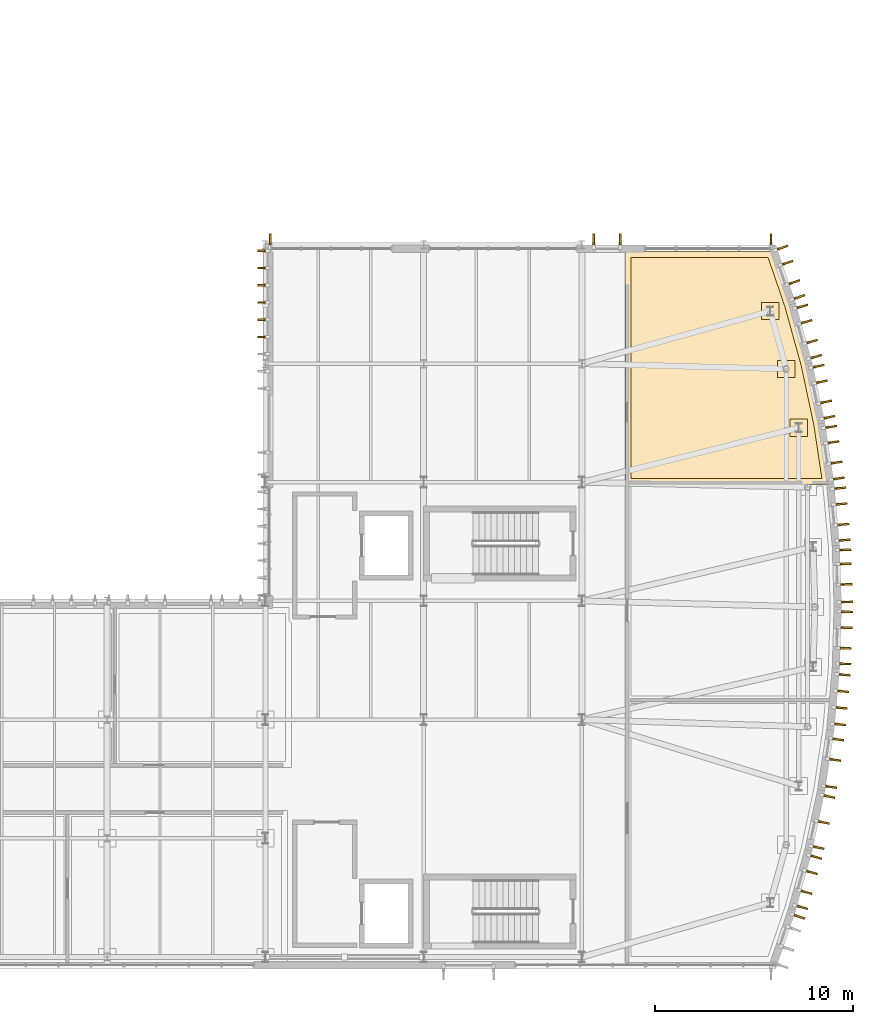
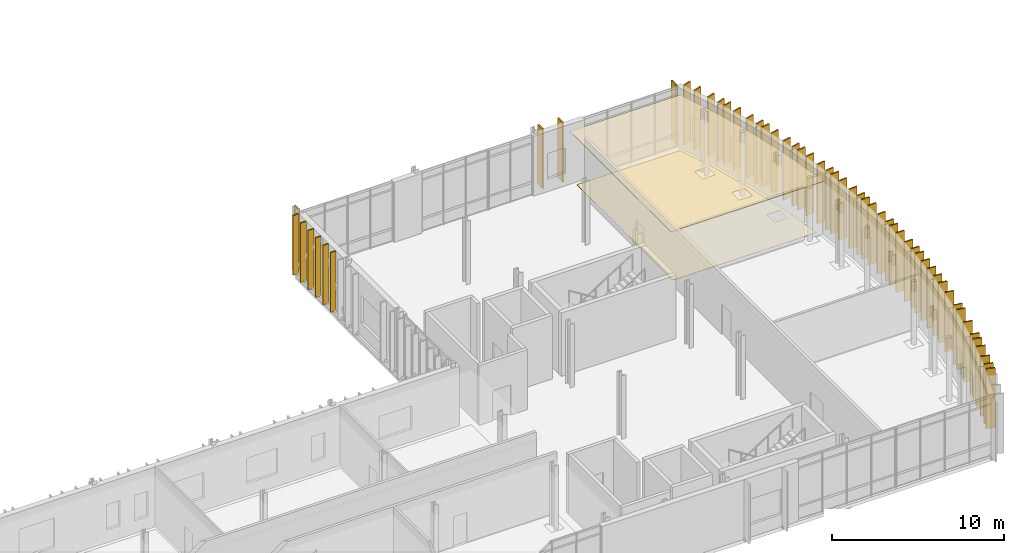
# One storey, part 86 of 86: 55 coverings.
"""IFC4 building model written with IfcOpenShell, lengths in metres."""

from ifc_helpers import new_model, si_unit, direction, frame, origin, origin_2d, place, context, subcontext, project, spatial, polyline, rectangle, outline, extrude, material, layer, layer_set, type_object, element, save


model = new_model("IFC4")

# Units and contexts
model_context = context("Model", 3, precision=1e-05, world=origin(), true_north=direction((0.0, 1.0)))
body_context = subcontext(model_context, "Body", "Model", "MODEL_VIEW")
ifc_project = project(units=[si_unit("LENGTHUNIT", "METRE"), si_unit("AREAUNIT", "SQUARE_METRE"), si_unit("VOLUMEUNIT", "CUBIC_METRE"), si_unit("PLANEANGLEUNIT", "RADIAN"), si_unit("MASSUNIT", "GRAM", prefix="KILO")], contexts=[model_context])

# Site, building, storey
site_placement = place(None, origin())
site = spatial("IfcSite", under=ifc_project, at=site_placement, CompositionType="ELEMENT")
building_placement = place(site_placement, origin())
building = spatial("IfcBuilding", under=site, at=building_placement, Name="Cymarion Research Institute", CompositionType="ELEMENT")
storey_placement = place(building_placement, frame((0.0, 0.0, 13.800048828125)))
storey = spatial("IfcBuildingStorey", under=building, at=storey_placement, Name="L03", CompositionType="ELEMENT", Elevation=13.800048828125)

# Coverings
ifc_material_1 = material(Name="Micro-perforated mineral acoustic ceiling tile", Category="gypsum")
ifc_layer_1 = layer(ifc_material_1, 0.030029296875)
ifc_layer_set_1 = layer_set([ifc_layer_1], Name="Micro-perforated mineral acoustic ceiling tile")
covering_type_1 = type_object("IfcCoveringType", Name="ACOUSTIC MICRO-PERFORATED SUSPENDED CEILING CLG-01", PredefinedType="CEILING", material=ifc_layer_set_1)
covering_1_placement = place(storey_placement, frame((0.0, 0.0, 3.699951171875)))
element("IfcCovering", 1, at=covering_1_placement, inside=storey, type_object=covering_type_1, Name="L03 L03 Prow Collaborative Reading Lounge acoustic ceiling", PredefinedType="CEILING", context=body_context, shape_type="SweptSolid", body=[
    extrude(outline(polyline([(164.22412109375, 41.1650390625), (165.14599609375, 38.47021484375), (165.971923828125, 35.482666015625), (166.617431640625, 32.45068359375), (167.080322265625, 29.385009765625), (156.784912109375, 29.385009765625), (156.784912109375, 41.1650390625), (164.22412109375, 41.1650390625)])), origin(), (0.0, 0.0, 1.0), 0.030029296875),
])
ifc_material_2 = material(Name="Precast concrete C45/55 architectural white", Category="concrete")
ifc_layer_2 = layer(ifc_material_2, 0.090087890625)
ifc_layer_set_2 = layer_set([ifc_layer_2], Name="Precast concrete C45/55 architectural white")
covering_type_2 = type_object("IfcCoveringType", Name="ARCHITECTURAL WHITE PRECAST CONCRETE VERTICAL FIN FIN1 560MM", PredefinedType="CLADDING", material=ifc_layer_set_2)
for number, where, z_axis, x_axis, name in (
    (2, (165.597900390625, 7.530029296875, 0.010009765625), (0.0, 0.0, 1.0), (0.946141878672, -0.32375229022, 0.0), "L03 V1 white precast vertical fin FIN1 #323"),
    (3, (165.74462890625, 8.004638671875, 0.010009765625), (0.0, 0.0, 1.0), (0.963863295733, -0.266397348219, 0.0), "L03 V1 white precast vertical fin FIN1 #324"),
    (4, (165.95556640625, 8.76806640625, 0.010009765625), (0.0, 0.0, 1.0), (0.963863295733, -0.266397348219, 0.0), "L03 V1 white precast vertical fin FIN1 #325"),
    (5, (166.232666015625, 9.7705078125, 0.010009765625), (0.0, 0.0, 1.0), (0.963863295733, -0.266397348219, 0.0), "L03 V1 white precast vertical fin FIN1 #326"),
    (6, (166.447021484375, 10.545654296875, 0.010009765625), (0.0, 0.0, 1.0), (0.963863295733, -0.266397348219, 0.0), "L03 V1 white precast vertical fin FIN1 #327"),
    (7, (166.56494140625, 11.028076171875, 0.010009765625), (0.0, 0.0, 1.0), (0.978074966272, -0.208253116068, 0.0), "L03 V1 white precast vertical fin FIN1 #328"),
    (8, (166.8359375, 12.300537109375, 0.010009765625), (0.0, 0.0, 1.0), (0.978074966272, -0.208253116068, 0.0), "L03 V1 white precast vertical fin FIN1 #329"),
    (9, (167.114013671875, 13.606689453125, 0.010009765625), (0.0, 0.0, 1.0), (0.978074966272, -0.208253116068, 0.0), "L03 V1 white precast vertical fin FIN1 #330"),
    (10, (167.202880859375, 14.09521484375, 0.010009765625), (0.0, 0.0, 1.0), (0.988782464828, -0.149362770624, 0.0), "L03 V1 white precast vertical fin FIN1 #331"),
    (11, (167.409423828125, 15.4638671875, 0.010009765625), (0.0, 0.0, 1.0), (0.988782464828, -0.149362770624, 0.0), "L03 V1 white precast vertical fin FIN1 #332"),
    (12, (167.564697265625, 16.4921875, 0.010009765625), (0.0, 0.0, 1.0), (0.988782464828, -0.149362770624, 0.0), "L03 V1 white precast vertical fin FIN1 #333"),
    (13, (167.6611328125, 17.2548828125, 0.010009765625), (0.0, 0.0, 1.0), (0.995963111248, -0.089763472712, 0.0), "L03 V1 white precast vertical fin FIN1 #334"),
    (14, (167.736328125, 18.09033203125, 0.010009765625), (0.0, 0.0, 1.0), (0.995963111248, -0.089763472712, 0.0), "L03 V1 white precast vertical fin FIN1 #335"),
    (15, (167.811767578125, 18.925537109375, 0.010009765625), (0.0, 0.0, 1.0), (0.995963111248, -0.089763472712, 0.0), "L03 V1 white precast vertical fin FIN1 #336"),
    (16, (167.886962890625, 19.760986328125, 0.010009765625), (0.0, 0.0, 1.0), (0.995963111248, -0.089763472712, 0.0), "L03 V1 white precast vertical fin FIN1 #337"),
    (17, (167.922119140625, 20.31640625, 0.010009765625), (0.0, 0.0, 1.0), (0.99954944375, -0.030015154483, 0.0), "L03 V1 white precast vertical fin FIN1 #338"),
    (18, (167.94580078125, 21.108154296875, 0.010009765625), (0.0, 0.0, 1.0), (0.99954944375, -0.030015154483, 0.0), "L03 V1 white precast vertical fin FIN1 #339"),
    (19, (167.97705078125, 22.147705078125, 0.010009765625), (0.0, 0.0, 1.0), (0.99954944375, -0.030015154483, 0.0), "L03 V1 white precast vertical fin FIN1 #340"),
    (20, (168.001220703125, 22.95166015625, 0.010009765625), (0.0, 0.0, 1.0), (0.99954944375, -0.030015154483, 0.0), "L03 V1 white precast vertical fin FIN1 #341"),
    (21, (168.001220703125, 23.4482421875, 0.010009765625), (0.0, 0.0, 1.0), (0.99954944375, 0.030015154483, 0.0), "L03 V1 white precast vertical fin FIN1 #342"),
    (22, (167.974365234375, 24.33984375, 0.010009765625), (0.0, 0.0, 1.0), (0.99954944375, 0.030015154483, 0.0), "L03 V1 white precast vertical fin FIN1 #343"),
    (23, (167.943359375, 25.37939453125, 0.010009765625), (0.0, 0.0, 1.0), (0.99954944375, 0.030015154483, 0.0), "L03 V1 white precast vertical fin FIN1 #344"),
    (24, (167.922119140625, 26.08349609375, 0.010009765625), (0.0, 0.0, 1.0), (0.99954944375, 0.030015154483, 0.0), "L03 V1 white precast vertical fin FIN1 #345"),
    (25, (167.892333984375, 26.579345703125, 0.010009765625), (0.0, 0.0, 1.0), (0.995963111248, 0.089763472712, 0.0), "L03 V1 white precast vertical fin FIN1 #346"),
    (26, (167.8212890625, 27.3681640625, 0.010009765625), (0.0, 0.0, 1.0), (0.995963111248, 0.089763472712, 0.0), "L03 V1 white precast vertical fin FIN1 #347"),
    (27, (167.727783203125, 28.40380859375, 0.010009765625), (0.0, 0.0, 1.0), (0.995963111248, 0.089763472712, 0.0), "L03 V1 white precast vertical fin FIN1 #348"),
    (28, (167.65576171875, 29.204833984375, 0.010009765625), (0.0, 0.0, 1.0), (0.995963111248, 0.089763472712, 0.0), "L03 V1 white precast vertical fin FIN1 #349"),
    (29, (167.59619140625, 29.697998046875, 0.010009765625), (0.0, 0.0, 1.0), (0.988782464828, 0.149362770624, 0.0), "L03 V1 white precast vertical fin FIN1 #350"),
    (30, (167.475341796875, 30.498779296875, 0.010009765625), (0.0, 0.0, 1.0), (0.988782464828, 0.149362770624, 0.0), "L03 V1 white precast vertical fin FIN1 #351"),
    (31, (167.320068359375, 31.52734375, 0.010009765625), (0.0, 0.0, 1.0), (0.988782464828, 0.149362770624, 0.0), "L03 V1 white precast vertical fin FIN1 #352"),
    (32, (167.202880859375, 32.3046875, 0.010009765625), (0.0, 0.0, 1.0), (0.988782464828, 0.149362770624, 0.0), "L03 V1 white precast vertical fin FIN1 #353"),
    (33, (167.114013671875, 32.79345703125, 0.010009765625), (0.0, 0.0, 1.0), (0.978074966272, 0.208253116068, 0.0), "L03 V1 white precast vertical fin FIN1 #354"),
    (34, (166.948974609375, 33.568115234375, 0.010009765625), (0.0, 0.0, 1.0), (0.978074966272, 0.208253116068, 0.0), "L03 V1 white precast vertical fin FIN1 #355"),
    (35, (166.732421875, 34.585205078125, 0.010009765625), (0.0, 0.0, 1.0), (0.978074966272, 0.208253116068, 0.0), "L03 V1 white precast vertical fin FIN1 #356"),
    (36, (166.56494140625, 35.371826171875, 0.010009765625), (0.0, 0.0, 1.0), (0.978074966272, 0.208253116068, 0.0), "L03 V1 white precast vertical fin FIN1 #357"),
    (37, (166.447021484375, 35.8544921875, 0.010009765625), (0.0, 0.0, 1.0), (0.963863295733, 0.266397348219, 0.0), "L03 V1 white precast vertical fin FIN1 #358"),
    (38, (166.236083984375, 36.61767578125, 0.010009765625), (0.0, 0.0, 1.0), (0.963863295733, 0.266397348219, 0.0), "L03 V1 white precast vertical fin FIN1 #359"),
    (39, (165.958984375, 37.6201171875, 0.010009765625), (0.0, 0.0, 1.0), (0.963863295733, 0.266397348219, 0.0), "L03 V1 white precast vertical fin FIN1 #360"),
    (40, (165.74462890625, 38.395263671875, 0.010009765625), (0.0, 0.0, 1.0), (0.963863295733, 0.266397348219, 0.0), "L03 V1 white precast vertical fin FIN1 #361"),
    (41, (165.597900390625, 38.869873046875, 0.010009765625), (0.0, 0.0, 1.0), (0.946141878672, 0.32375229022, 0.0), "L03 V1 white precast vertical fin FIN1 #362"),
    (42, (165.341552734375, 39.619140625, 0.010009765625), (0.0, 0.0, 1.0), (0.946141878672, 0.32375229022, 0.0), "L03 V1 white precast vertical fin FIN1 #363"),
    (43, (165.0048828125, 40.603271484375, 0.010009765625), (0.0, 0.0, 1.0), (0.946141878672, 0.32375229022, 0.0), "L03 V1 white precast vertical fin FIN1 #364"),
    (44, (164.744384765625, 41.3642578125, 0.010009765625), (0.0, 0.0, 1.0), (0.946141878672, 0.32375229022, 0.0), "L03 V1 white precast vertical fin FIN1 #365"),
    (45, (164.159912109375, 41.781982421875, 0.010009765625), (0.0, 0.0, 1.0), (0.0, 1.0, 0.0), "L03 V1 white precast vertical fin FIN1 #366"),
    (46, (156.539794921875, 41.781982421875, 0.010009765625), (0.0, 0.0, 1.0), (0.0, 1.0, 0.0), "L03 V1 white precast vertical fin FIN1 #367"),
    (47, (155.19970703125, 41.781982421875, 0.010009765625), (0.0, 0.0, 1.0), (0.0, 1.0, 0.0), "L03 V1 white precast vertical fin FIN1 #368"),
    (48, (138.840087890625, 41.781982421875, 0.010009765625), (0.0, 0.0, 1.0), (0.0, 1.0, 0.0), "L03 V1 white precast vertical fin FIN1 #369"),
):
    element("IfcCovering", number, at=place(storey_placement, frame(where, z_axis=z_axis, x_axis=x_axis)), inside=storey, type_object=covering_type_2, Name=name, PredefinedType="CLADDING", context=body_context, shape_type="SweptSolid", body=[
        extrude(rectangle(XDim=0.56005859375, YDim=0.090087890625, at=origin_2d()), origin(), (0.0, 0.0, 1.0), 4.22998046875),
    ])
ifc_layer_3 = layer(ifc_material_2, 0.0849609375)
ifc_layer_set_3 = layer_set([ifc_layer_3], Name="Precast concrete C45/55 architectural white")
covering_type_3 = type_object("IfcCoveringType", Name="ARCHITECTURAL WHITE PRECAST CONCRETE VERTICAL FIN FIN3 380MM", PredefinedType="CLADDING", material=ifc_layer_set_3)
for number, where, z_axis, x_axis, name in (
    (49, (138.407958984375, 41.199951171875, 0.010009765625), (0.0, 0.0, 1.0), (-1.0, 0.0, 0.0), "L03 V1 white precast vertical fin FIN3 #370"),
    (50, (138.407958984375, 40.330078125, 0.010009765625), (0.0, 0.0, 1.0), (-1.0, 0.0, 0.0), "L03 V1 white precast vertical fin FIN3 #371"),
    (51, (138.407958984375, 39.4599609375, 0.010009765625), (0.0, 0.0, 1.0), (-1.0, 0.0, 0.0), "L03 V1 white precast vertical fin FIN3 #372"),
    (52, (138.407958984375, 38.590087890625, 0.010009765625), (0.0, 0.0, 1.0), (-1.0, 0.0, 0.0), "L03 V1 white precast vertical fin FIN3 #373"),
    (53, (138.407958984375, 37.719970703125, 0.010009765625), (0.0, 0.0, 1.0), (-1.0, 0.0, 0.0), "L03 V1 white precast vertical fin FIN3 #374"),
    (54, (138.407958984375, 36.85009765625, 0.010009765625), (0.0, 0.0, 1.0), (-1.0, 0.0, 0.0), "L03 V1 white precast vertical fin FIN3 #375"),
):
    element("IfcCovering", number, at=place(storey_placement, frame(where, z_axis=z_axis, x_axis=x_axis)), inside=storey, type_object=covering_type_3, Name=name, PredefinedType="CLADDING", context=body_context, shape_type="SweptSolid", body=[
        extrude(rectangle(XDim=0.3798828125, YDim=0.0849609375, at=origin_2d()), origin(), (0.0, 0.0, 1.0), 4.22998046875),
    ])
ifc_material_3 = material(Name="Seamless dissipative epoxy resin flooring", Category="resin")
ifc_layer_4 = layer(ifc_material_3, 0.02001953125)
ifc_layer_set_4 = layer_set([ifc_layer_4], Name="Seamless dissipative epoxy resin flooring")
covering_type_4 = type_object("IfcCoveringType", Name="SEAMLESS ESD EPOXY LABORATORY FLOORING FLR-01", PredefinedType="FLOORING", material=ifc_layer_set_4)
covering_2_placement = place(storey_placement, origin())
element("IfcCovering", 55, at=covering_2_placement, inside=storey, type_object=covering_type_4, Name="L03 L03 Prow Collaborative Reading Lounge ESD epoxy flooring", PredefinedType="FLOORING", context=body_context, shape_type="SweptSolid", body=[
    extrude(outline(polyline([(157.0849609375, 40.864990234375), (164.009521484375, 40.864990234375), (164.859130859375, 38.381591796875), (165.680419921875, 35.411376953125), (166.322021484375, 32.39697265625), (166.731689453125, 29.68505859375), (157.0849609375, 29.68505859375), (157.0849609375, 40.864990234375)]), holes=[polyline([(165.994873046875, 32.693603515625), (165.125, 32.693603515625), (165.125, 31.823486328125), (165.994873046875, 31.823486328125), (165.994873046875, 32.693603515625)]), polyline([(165.36279296875, 35.662353515625), (164.492919921875, 35.662353515625), (164.492919921875, 34.792236328125), (165.36279296875, 34.792236328125), (165.36279296875, 35.662353515625)]), polyline([(164.553955078125, 38.587890625), (163.68408203125, 38.587890625), (163.68408203125, 37.718017578125), (164.553955078125, 37.718017578125), (164.553955078125, 38.587890625)])]), origin(), (0.0, 0.0, 1.0), 0.02001953125),
])

save(model, "model.ifc")
